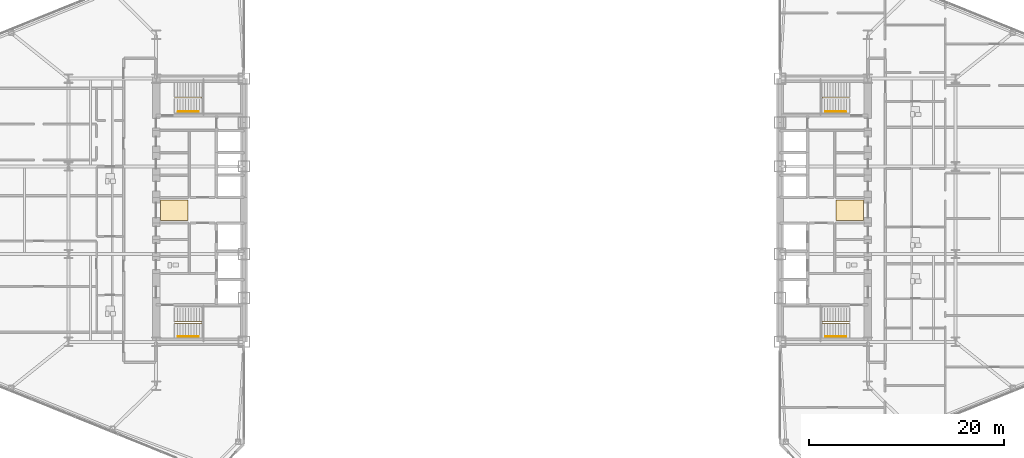
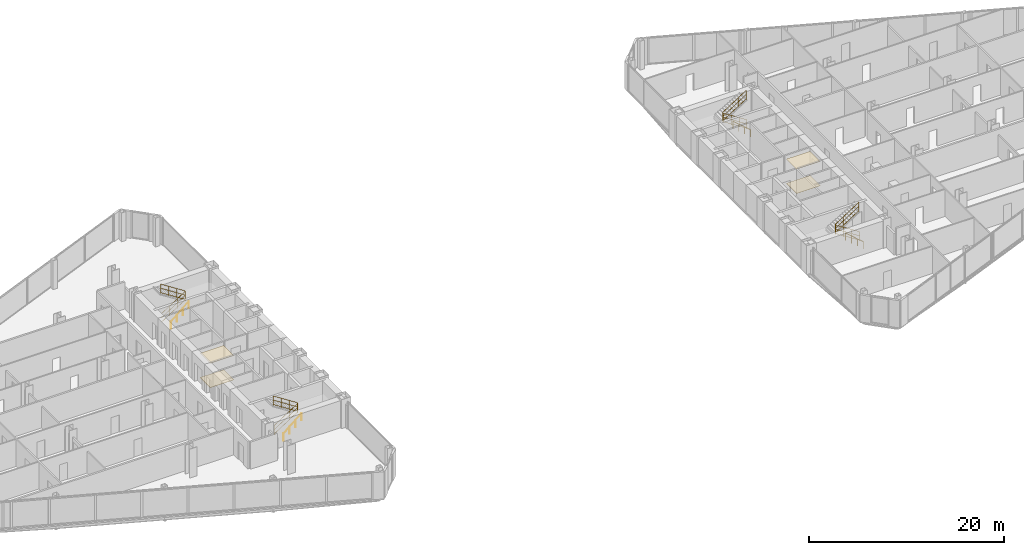
# One storey, part 24 of 25: 8 railings, 4 coverings.
"""IFC4 building model written with IfcOpenShell, lengths in metres."""

from ifc_helpers import new_model, si_unit, direction, frame, origin, origin_2d, place, context, subcontext, project, spatial, polyline, circle, outline, extrude, material, layer, layer_set, type_object, element, save


model = new_model("IFC4")

# Units and contexts
model_context = context("Model", 3, precision=1e-05, world=origin(), true_north=direction((0.0, 1.0)))
body_context = subcontext(model_context, "Body", "Model", "MODEL_VIEW")
ifc_project = project(units=[si_unit("LENGTHUNIT", "METRE"), si_unit("AREAUNIT", "SQUARE_METRE"), si_unit("VOLUMEUNIT", "CUBIC_METRE"), si_unit("PLANEANGLEUNIT", "RADIAN"), si_unit("MASSUNIT", "GRAM", prefix="KILO")], contexts=[model_context])

# Site, building, storey
site_placement = place(None, origin())
site = spatial("IfcSite", under=ifc_project, at=site_placement, CompositionType="ELEMENT")
building_placement = place(site_placement, origin())
building = spatial("IfcBuilding", under=site, at=building_placement, Name="Seokmaru Belvedere", CompositionType="ELEMENT")
storey_placement = place(building_placement, frame((0.0, 0.0, 54.89990234375)))
storey = spatial("IfcBuildingStorey", under=building, at=storey_placement, Name="L14", CompositionType="ELEMENT", Elevation=54.89990234375)

# Coverings
ifc_material_1 = material(Name="Engineered White Oak Timber", Category="wood")
ifc_layer_1 = layer(ifc_material_1, 0.02197265625)
ifc_layer_set_1 = layer_set([ifc_layer_1], Name="Engineered White Oak Timber")
covering_type_1 = type_object("IfcCoveringType", Name="Engineered Oak Residence Floor Finish 22", PredefinedType="FLOORING", material=ifc_layer_set_1)
covering_1_placement = place(storey_placement, origin())
element("IfcCovering", 1, at=covering_1_placement, inside=storey, type_object=covering_type_1, Name="L14 W Foyer Floor Finish", PredefinedType="FLOORING", context=body_context, shape_type="SweptSolid", body=[
    extrude(outline(polyline([(-36.050048828125, -1.050048828125), (-33.25, -1.050048828125), (-33.25, 1.050048828125), (-36.050048828125, 1.050048828125), (-36.050048828125, -1.050048828125)])), origin(), (0.0, 0.0, 1.0), 0.022216796875),
])
covering_2_placement = place(storey_placement, origin())
element("IfcCovering", 2, at=covering_2_placement, inside=storey, type_object=covering_type_1, Name="L14 E Foyer Floor Finish", PredefinedType="FLOORING", context=body_context, shape_type="SweptSolid", body=[
    extrude(outline(polyline([(33.25, -1.050048828125), (36.050048828125, -1.050048828125), (36.050048828125, 1.050048828125), (33.25, 1.050048828125), (33.25, -1.050048828125)])), origin(), (0.0, 0.0, 1.0), 0.022216796875),
])
ifc_material_2 = material(Name="Fire-Rated Gypsum Shaftwall")
ifc_layer_2 = layer(ifc_material_2, 0.02490234375)
ifc_layer_set_2 = layer_set([ifc_layer_2], Name="Fire-Rated Gypsum Shaftwall")
covering_type_2 = type_object("IfcCoveringType", Name="Perforated Acoustic Gypsum Suspended Ceiling 25", PredefinedType="CEILING", material=ifc_layer_set_2)
covering_3_placement = place(storey_placement, frame((0.0, 0.0, 3.030029296875)))
element("IfcCovering", 3, at=covering_3_placement, inside=storey, type_object=covering_type_2, Name="L14 W Lift Foyer Acoustic Ceiling", PredefinedType="CEILING", context=body_context, shape_type="SweptSolid", body=[
    extrude(outline(polyline([(-36.050048828125, -1.050048828125), (-33.25, -1.050048828125), (-33.25, 1.050048828125), (-36.050048828125, 1.050048828125), (-36.050048828125, -1.050048828125)])), origin(), (0.0, 0.0, 1.0), 0.025146484375),
])
covering_4_placement = place(storey_placement, frame((0.0, 0.0, 3.030029296875)))
element("IfcCovering", 4, at=covering_4_placement, inside=storey, type_object=covering_type_2, Name="L14 E Lift Foyer Acoustic Ceiling", PredefinedType="CEILING", context=body_context, shape_type="SweptSolid", body=[
    extrude(outline(polyline([(33.25, -1.050048828125), (36.050048828125, -1.050048828125), (36.050048828125, 1.050048828125), (33.25, 1.050048828125), (33.25, -1.050048828125)])), origin(), (0.0, 0.0, 1.0), 0.025146484375),
])

# Railings
ifc_material_3 = material(Name="Stainless Steel 316", Category="steel")
railing_type_1 = type_object("IfcRailingType", Name="Stainless Steel Wall and Flight Handrail 900", PredefinedType="HANDRAIL", material=ifc_material_3)
for number, where, name in (
    (5, (-34.25, -12.949951171875, 0.0), "L14 Stair ST-W1 Wall Handrail"),
    (6, (-34.25, 10.110107421875, 0.0), "L14 Stair ST-W2 Wall Handrail"),
):
    element("IfcRailing", number, at=place(storey_placement, frame(where)), inside=storey, type_object=railing_type_1, Name=name, PredefinedType="HANDRAIL", context=body_context, shape_type="SweptSolid", body=[
        extrude(circle(Radius=0.02392578125, at=origin_2d()), frame((0.0, 0.0, 0.8759765625), z_axis=(0.759262832861, 0.0, 0.650784104474), x_axis=(0.0, 1.0, 0.0)), (0.0, 0.0, 1.0), 2.765869140625),
        extrude(circle(Radius=0.02099609375, at=origin_2d()), origin(), (0.0, 0.0, 1.0), 0.851806640625),
        extrude(circle(Radius=0.02099609375, at=origin_2d()), frame((0.699951171875, 0.0, 0.60009765625)), (0.0, 0.0, 1.0), 0.851806640625),
        extrude(circle(Radius=0.02099609375, at=origin_2d()), frame((1.400146484375, 0.0, 1.199951171875)), (0.0, 0.0, 1.0), 0.851806640625),
        extrude(circle(Radius=0.02099609375, at=origin_2d()), frame((2.10009765625, 0.0, 1.800048828125)), (0.0, 0.0, 1.0), 0.851806640625),
    ])
for number, where, name in (
    (7, (34.25, -12.949951171875, 0.0), "L14 Stair ST-E1 Wall Handrail"),
    (8, (34.25, 10.110107421875, 0.0), "L14 Stair ST-E2 Wall Handrail"),
):
    element("IfcRailing", number, at=place(storey_placement, frame(where)), inside=storey, type_object=railing_type_1, Name=name, PredefinedType="HANDRAIL", context=body_context, shape_type="SweptSolid", body=[
        extrude(circle(Radius=0.02392578125, at=origin_2d()), frame((0.0, 0.0, 0.8759765625), z_axis=(-0.759262832861, 0.0, 0.650784104474), x_axis=(0.0, -1.0, 0.0)), (0.0, 0.0, 1.0), 2.765869140625),
        extrude(circle(Radius=0.02099609375, at=origin_2d()), origin(), (0.0, 0.0, 1.0), 0.851806640625),
        extrude(circle(Radius=0.02099609375, at=origin_2d()), frame((-0.699951171875, 0.0, 0.60009765625)), (0.0, 0.0, 1.0), 0.851806640625),
        extrude(circle(Radius=0.02099609375, at=origin_2d()), frame((-1.400146484375, 0.0, 1.199951171875)), (0.0, 0.0, 1.0), 0.851806640625),
        extrude(circle(Radius=0.02099609375, at=origin_2d()), frame((-2.10009765625, 0.0, 1.800048828125)), (0.0, 0.0, 1.0), 0.851806640625),
    ])
railing_type_2 = type_object("IfcRailingType", Name="Stair Well and Atrium Steel Guardrail 1200", PredefinedType="GUARDRAIL", material=ifc_material_3)
railing_1_placement = place(storey_placement, frame((-34.60009765625, -11.60009765625, 0.0)))
element("IfcRailing", 9, at=railing_1_placement, inside=storey, type_object=railing_type_2, Name="L14 Stair ST-W1 Inner Well Guardrail", PredefinedType="GUARDRAIL", context=body_context, shape_type="SweptSolid", body=[
    extrude(circle(Radius=0.02392578125, at=origin_2d()), frame((0.0, 0.0, 1.17578125), z_axis=(0.841176092368, 0.0, 0.540761298198), x_axis=(0.0, 1.0, 0.0)), (0.0, 0.0, 1.0), 3.32861328125),
    extrude(circle(Radius=0.02392578125, at=origin_2d()), frame((0.0, 0.0, 0.1201171875), z_axis=(0.841176092368, 0.0, 0.540761298198), x_axis=(0.0, 1.0, 0.0)), (0.0, 0.0, 1.0), 3.32861328125),
    extrude(circle(Radius=0.02392578125, at=origin_2d()), frame((0.0, 0.0, 0.659912109375), z_axis=(0.841176092368, 0.0, 0.540761298198), x_axis=(0.0, 1.0, 0.0)), (0.0, 0.0, 1.0), 3.32861328125),
    extrude(circle(Radius=0.02392578125, at=origin_2d()), frame((2.800048828125, 0.0, 2.97607421875), z_axis=(0.0, 1.0, 0.0), x_axis=(-1.0, 0.0, 0.0)), (0.0, 0.0, 1.0), 0.14013671875),
    extrude(circle(Radius=0.02392578125, at=origin_2d()), frame((2.800048828125, 0.0, 1.920166015625), z_axis=(0.0, 1.0, 0.0), x_axis=(-1.0, 0.0, 0.0)), (0.0, 0.0, 1.0), 0.14013671875),
    extrude(circle(Radius=0.02392578125, at=origin_2d()), frame((2.800048828125, 0.0, 2.4599609375), z_axis=(0.0, 1.0, 0.0), x_axis=(-1.0, 0.0, 0.0)), (0.0, 0.0, 1.0), 0.14013671875),
    extrude(circle(Radius=0.02392578125, at=origin_2d()), frame((2.800048828125, 0.14013671875, 2.97607421875), z_axis=(-0.841176092368, 0.0, 0.540761298198), x_axis=(0.0, -1.0, 0.0)), (0.0, 0.0, 1.0), 3.32861328125),
    extrude(circle(Radius=0.02392578125, at=origin_2d()), frame((2.800048828125, 0.14013671875, 1.920166015625), z_axis=(-0.841176092368, 0.0, 0.540761298198), x_axis=(0.0, -1.0, 0.0)), (0.0, 0.0, 1.0), 3.32861328125),
    extrude(circle(Radius=0.02392578125, at=origin_2d()), frame((2.800048828125, 0.14013671875, 2.4599609375), z_axis=(-0.841176092368, 0.0, 0.540761298198), x_axis=(0.0, -1.0, 0.0)), (0.0, 0.0, 1.0), 3.32861328125),
    extrude(circle(Radius=0.02099609375, at=origin_2d()), origin(), (0.0, 0.0, 1.0), 1.15185546875),
    extrude(circle(Radius=0.02099609375, at=origin_2d()), frame((0.933349609375, 0.0, 0.60009765625)), (0.0, 0.0, 1.0), 1.15185546875),
    extrude(circle(Radius=0.02099609375, at=origin_2d()), frame((1.86669921875, 0.0, 1.199951171875)), (0.0, 0.0, 1.0), 1.15185546875),
    extrude(circle(Radius=0.02099609375, at=origin_2d()), frame((2.800048828125, 0.0, 1.800048828125)), (0.0, 0.0, 1.0), 1.15185546875),
    extrude(circle(Radius=0.02099609375, at=origin_2d()), frame((2.800048828125, 0.14013671875, 1.800048828125)), (0.0, 0.0, 1.0), 1.15185546875),
    extrude(circle(Radius=0.02099609375, at=origin_2d()), frame((1.86669921875, 0.14013671875, 2.400146484375)), (0.0, 0.0, 1.0), 1.15185546875),
    extrude(circle(Radius=0.02099609375, at=origin_2d()), frame((0.933349609375, 0.14013671875, 3.0)), (0.0, 0.0, 1.0), 1.15185546875),
    extrude(circle(Radius=0.02099609375, at=origin_2d()), frame((0.0, 0.14013671875, 3.60009765625)), (0.0, 0.0, 1.0), 1.15185546875),
])
railing_2_placement = place(storey_placement, frame((-34.60009765625, 11.4599609375, 0.0)))
element("IfcRailing", 10, at=railing_2_placement, inside=storey, type_object=railing_type_2, Name="L14 Stair ST-W2 Inner Well Guardrail", PredefinedType="GUARDRAIL", context=body_context, shape_type="SweptSolid", body=[
    extrude(circle(Radius=0.02392578125, at=origin_2d()), frame((0.0, 0.0, 1.17578125), z_axis=(0.841176092368, 0.0, 0.540761298198), x_axis=(0.0, 1.0, 0.0)), (0.0, 0.0, 1.0), 3.32861328125),
    extrude(circle(Radius=0.02392578125, at=origin_2d()), frame((0.0, 0.0, 0.1201171875), z_axis=(0.841176092368, 0.0, 0.540761298198), x_axis=(0.0, 1.0, 0.0)), (0.0, 0.0, 1.0), 3.32861328125),
    extrude(circle(Radius=0.02392578125, at=origin_2d()), frame((0.0, 0.0, 0.659912109375), z_axis=(0.841176092368, 0.0, 0.540761298198), x_axis=(0.0, 1.0, 0.0)), (0.0, 0.0, 1.0), 3.32861328125),
    extrude(circle(Radius=0.02392578125, at=origin_2d()), frame((2.800048828125, 0.0, 2.97607421875), z_axis=(0.0, 1.0, 0.0), x_axis=(-1.0, 0.0, 0.0)), (0.0, 0.0, 1.0), 0.14013671875),
    extrude(circle(Radius=0.02392578125, at=origin_2d()), frame((2.800048828125, 0.0, 1.920166015625), z_axis=(0.0, 1.0, 0.0), x_axis=(-1.0, 0.0, 0.0)), (0.0, 0.0, 1.0), 0.14013671875),
    extrude(circle(Radius=0.02392578125, at=origin_2d()), frame((2.800048828125, 0.0, 2.4599609375), z_axis=(0.0, 1.0, 0.0), x_axis=(-1.0, 0.0, 0.0)), (0.0, 0.0, 1.0), 0.14013671875),
    extrude(circle(Radius=0.02392578125, at=origin_2d()), frame((2.800048828125, 0.14013671875, 2.97607421875), z_axis=(-0.841176092368, 0.0, 0.540761298198), x_axis=(0.0, -1.0, 0.0)), (0.0, 0.0, 1.0), 3.32861328125),
    extrude(circle(Radius=0.02392578125, at=origin_2d()), frame((2.800048828125, 0.14013671875, 1.920166015625), z_axis=(-0.841176092368, 0.0, 0.540761298198), x_axis=(0.0, -1.0, 0.0)), (0.0, 0.0, 1.0), 3.32861328125),
    extrude(circle(Radius=0.02392578125, at=origin_2d()), frame((2.800048828125, 0.14013671875, 2.4599609375), z_axis=(-0.841176092368, 0.0, 0.540761298198), x_axis=(0.0, -1.0, 0.0)), (0.0, 0.0, 1.0), 3.32861328125),
    extrude(circle(Radius=0.02099609375, at=origin_2d()), origin(), (0.0, 0.0, 1.0), 1.15185546875),
    extrude(circle(Radius=0.02099609375, at=origin_2d()), frame((0.933349609375, 0.0, 0.60009765625)), (0.0, 0.0, 1.0), 1.15185546875),
    extrude(circle(Radius=0.02099609375, at=origin_2d()), frame((1.86669921875, 0.0, 1.199951171875)), (0.0, 0.0, 1.0), 1.15185546875),
    extrude(circle(Radius=0.02099609375, at=origin_2d()), frame((2.800048828125, 0.0, 1.800048828125)), (0.0, 0.0, 1.0), 1.15185546875),
    extrude(circle(Radius=0.02099609375, at=origin_2d()), frame((2.800048828125, 0.14013671875, 1.800048828125)), (0.0, 0.0, 1.0), 1.15185546875),
    extrude(circle(Radius=0.02099609375, at=origin_2d()), frame((1.86669921875, 0.14013671875, 2.400146484375)), (0.0, 0.0, 1.0), 1.15185546875),
    extrude(circle(Radius=0.02099609375, at=origin_2d()), frame((0.933349609375, 0.14013671875, 3.0)), (0.0, 0.0, 1.0), 1.15185546875),
    extrude(circle(Radius=0.02099609375, at=origin_2d()), frame((0.0, 0.14013671875, 3.60009765625)), (0.0, 0.0, 1.0), 1.15185546875),
])
railing_3_placement = place(storey_placement, frame((34.60009765625, -11.60009765625, 0.0)))
element("IfcRailing", 11, at=railing_3_placement, inside=storey, type_object=railing_type_2, Name="L14 Stair ST-E1 Inner Well Guardrail", PredefinedType="GUARDRAIL", context=body_context, shape_type="SweptSolid", body=[
    extrude(circle(Radius=0.02392578125, at=origin_2d()), frame((0.0, 0.0, 1.17578125), z_axis=(-0.841176092368, 0.0, 0.540761298198), x_axis=(0.0, -1.0, 0.0)), (0.0, 0.0, 1.0), 3.32861328125),
    extrude(circle(Radius=0.02392578125, at=origin_2d()), frame((0.0, 0.0, 0.1201171875), z_axis=(-0.841176092368, 0.0, 0.540761298198), x_axis=(0.0, -1.0, 0.0)), (0.0, 0.0, 1.0), 3.32861328125),
    extrude(circle(Radius=0.02392578125, at=origin_2d()), frame((0.0, 0.0, 0.659912109375), z_axis=(-0.841176092368, 0.0, 0.540761298198), x_axis=(0.0, -1.0, 0.0)), (0.0, 0.0, 1.0), 3.32861328125),
    extrude(circle(Radius=0.02392578125, at=origin_2d()), frame((-2.800048828125, 0.0, 2.97607421875), z_axis=(0.0, 1.0, 0.0), x_axis=(-1.0, 0.0, 0.0)), (0.0, 0.0, 1.0), 0.14013671875),
    extrude(circle(Radius=0.02392578125, at=origin_2d()), frame((-2.800048828125, 0.0, 1.920166015625), z_axis=(0.0, 1.0, 0.0), x_axis=(-1.0, 0.0, 0.0)), (0.0, 0.0, 1.0), 0.14013671875),
    extrude(circle(Radius=0.02392578125, at=origin_2d()), frame((-2.800048828125, 0.0, 2.4599609375), z_axis=(0.0, 1.0, 0.0), x_axis=(-1.0, 0.0, 0.0)), (0.0, 0.0, 1.0), 0.14013671875),
    extrude(circle(Radius=0.02392578125, at=origin_2d()), frame((-2.800048828125, 0.14013671875, 2.97607421875), z_axis=(0.841176092368, 0.0, 0.540761298198), x_axis=(0.0, 1.0, 0.0)), (0.0, 0.0, 1.0), 3.32861328125),
    extrude(circle(Radius=0.02392578125, at=origin_2d()), frame((-2.800048828125, 0.14013671875, 1.920166015625), z_axis=(0.841176092368, 0.0, 0.540761298198), x_axis=(0.0, 1.0, 0.0)), (0.0, 0.0, 1.0), 3.32861328125),
    extrude(circle(Radius=0.02392578125, at=origin_2d()), frame((-2.800048828125, 0.14013671875, 2.4599609375), z_axis=(0.841176092368, 0.0, 0.540761298198), x_axis=(0.0, 1.0, 0.0)), (0.0, 0.0, 1.0), 3.32861328125),
    extrude(circle(Radius=0.02099609375, at=origin_2d()), origin(), (0.0, 0.0, 1.0), 1.15185546875),
    extrude(circle(Radius=0.02099609375, at=origin_2d()), frame((-0.933349609375, 0.0, 0.60009765625)), (0.0, 0.0, 1.0), 1.15185546875),
    extrude(circle(Radius=0.02099609375, at=origin_2d()), frame((-1.86669921875, 0.0, 1.199951171875)), (0.0, 0.0, 1.0), 1.15185546875),
    extrude(circle(Radius=0.02099609375, at=origin_2d()), frame((-2.800048828125, 0.0, 1.800048828125)), (0.0, 0.0, 1.0), 1.15185546875),
    extrude(circle(Radius=0.02099609375, at=origin_2d()), frame((-2.800048828125, 0.14013671875, 1.800048828125)), (0.0, 0.0, 1.0), 1.15185546875),
    extrude(circle(Radius=0.02099609375, at=origin_2d()), frame((-1.86669921875, 0.14013671875, 2.400146484375)), (0.0, 0.0, 1.0), 1.15185546875),
    extrude(circle(Radius=0.02099609375, at=origin_2d()), frame((-0.933349609375, 0.14013671875, 3.0)), (0.0, 0.0, 1.0), 1.15185546875),
    extrude(circle(Radius=0.02099609375, at=origin_2d()), frame((0.0, 0.14013671875, 3.60009765625)), (0.0, 0.0, 1.0), 1.15185546875),
])
railing_4_placement = place(storey_placement, frame((34.60009765625, 11.4599609375, 0.0)))
element("IfcRailing", 12, at=railing_4_placement, inside=storey, type_object=railing_type_2, Name="L14 Stair ST-E2 Inner Well Guardrail", PredefinedType="GUARDRAIL", context=body_context, shape_type="SweptSolid", body=[
    extrude(circle(Radius=0.02392578125, at=origin_2d()), frame((0.0, 0.0, 1.17578125), z_axis=(-0.841176092368, 0.0, 0.540761298198), x_axis=(0.0, -1.0, 0.0)), (0.0, 0.0, 1.0), 3.32861328125),
    extrude(circle(Radius=0.02392578125, at=origin_2d()), frame((0.0, 0.0, 0.1201171875), z_axis=(-0.841176092368, 0.0, 0.540761298198), x_axis=(0.0, -1.0, 0.0)), (0.0, 0.0, 1.0), 3.32861328125),
    extrude(circle(Radius=0.02392578125, at=origin_2d()), frame((0.0, 0.0, 0.659912109375), z_axis=(-0.841176092368, 0.0, 0.540761298198), x_axis=(0.0, -1.0, 0.0)), (0.0, 0.0, 1.0), 3.32861328125),
    extrude(circle(Radius=0.02392578125, at=origin_2d()), frame((-2.800048828125, 0.0, 2.97607421875), z_axis=(0.0, 1.0, 0.0), x_axis=(-1.0, 0.0, 0.0)), (0.0, 0.0, 1.0), 0.14013671875),
    extrude(circle(Radius=0.02392578125, at=origin_2d()), frame((-2.800048828125, 0.0, 1.920166015625), z_axis=(0.0, 1.0, 0.0), x_axis=(-1.0, 0.0, 0.0)), (0.0, 0.0, 1.0), 0.14013671875),
    extrude(circle(Radius=0.02392578125, at=origin_2d()), frame((-2.800048828125, 0.0, 2.4599609375), z_axis=(0.0, 1.0, 0.0), x_axis=(-1.0, 0.0, 0.0)), (0.0, 0.0, 1.0), 0.14013671875),
    extrude(circle(Radius=0.02392578125, at=origin_2d()), frame((-2.800048828125, 0.14013671875, 2.97607421875), z_axis=(0.841176092368, 0.0, 0.540761298198), x_axis=(0.0, 1.0, 0.0)), (0.0, 0.0, 1.0), 3.32861328125),
    extrude(circle(Radius=0.02392578125, at=origin_2d()), frame((-2.800048828125, 0.14013671875, 1.920166015625), z_axis=(0.841176092368, 0.0, 0.540761298198), x_axis=(0.0, 1.0, 0.0)), (0.0, 0.0, 1.0), 3.32861328125),
    extrude(circle(Radius=0.02392578125, at=origin_2d()), frame((-2.800048828125, 0.14013671875, 2.4599609375), z_axis=(0.841176092368, 0.0, 0.540761298198), x_axis=(0.0, 1.0, 0.0)), (0.0, 0.0, 1.0), 3.32861328125),
    extrude(circle(Radius=0.02099609375, at=origin_2d()), origin(), (0.0, 0.0, 1.0), 1.15185546875),
    extrude(circle(Radius=0.02099609375, at=origin_2d()), frame((-0.933349609375, 0.0, 0.60009765625)), (0.0, 0.0, 1.0), 1.15185546875),
    extrude(circle(Radius=0.02099609375, at=origin_2d()), frame((-1.86669921875, 0.0, 1.199951171875)), (0.0, 0.0, 1.0), 1.15185546875),
    extrude(circle(Radius=0.02099609375, at=origin_2d()), frame((-2.800048828125, 0.0, 1.800048828125)), (0.0, 0.0, 1.0), 1.15185546875),
    extrude(circle(Radius=0.02099609375, at=origin_2d()), frame((-2.800048828125, 0.14013671875, 1.800048828125)), (0.0, 0.0, 1.0), 1.15185546875),
    extrude(circle(Radius=0.02099609375, at=origin_2d()), frame((-1.86669921875, 0.14013671875, 2.400146484375)), (0.0, 0.0, 1.0), 1.15185546875),
    extrude(circle(Radius=0.02099609375, at=origin_2d()), frame((-0.933349609375, 0.14013671875, 3.0)), (0.0, 0.0, 1.0), 1.15185546875),
    extrude(circle(Radius=0.02099609375, at=origin_2d()), frame((0.0, 0.14013671875, 3.60009765625)), (0.0, 0.0, 1.0), 1.15185546875),
])

save(model, "model.ifc")
